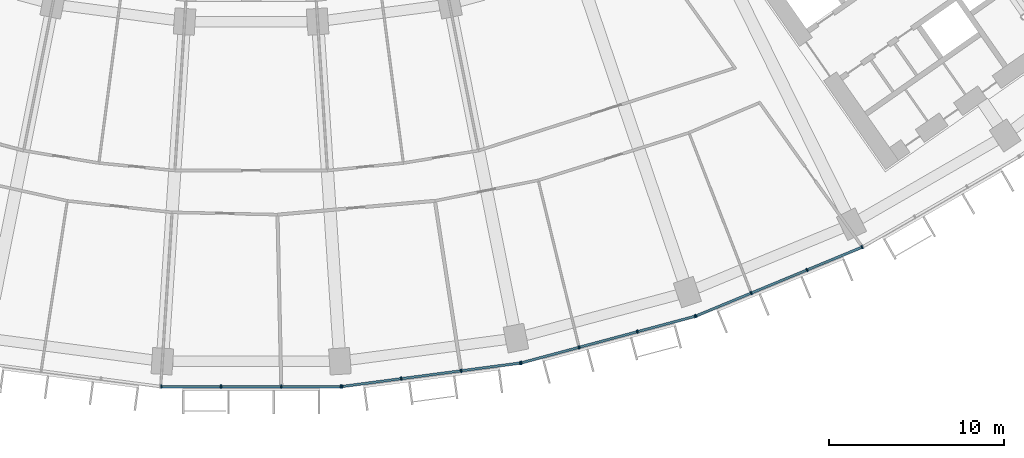
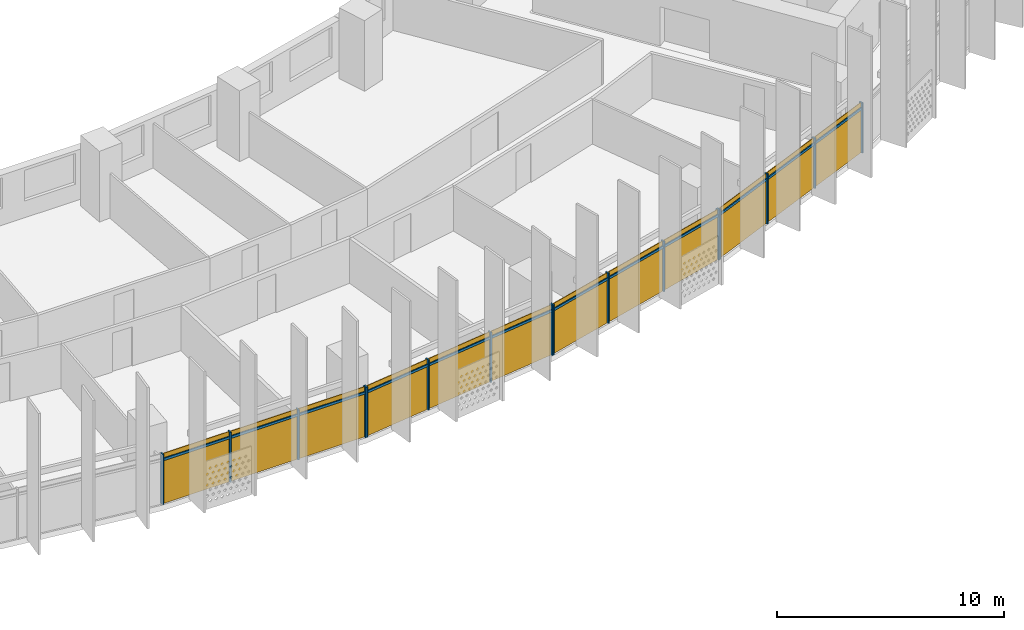
# One storey, part 21 of 30: 28 members, 4 curtain walls.
"""IFC4 building model written with IfcOpenShell, lengths in metres."""

from ifc_helpers import new_model, si_unit, direction, frame, origin, origin_2d, place, context, subcontext, project, spatial, rectangle, extrude, material, material_profile, profile_set, type_object, element, aggregate, save


model = new_model("IFC4")

# Units and contexts
model_context = context("Model", 3, precision=1e-05, world=origin(), true_north=direction((0.0, 1.0)))
body_context = subcontext(model_context, "Body", "Model", "MODEL_VIEW")
ifc_project = project(units=[si_unit("LENGTHUNIT", "METRE"), si_unit("AREAUNIT", "SQUARE_METRE"), si_unit("VOLUMEUNIT", "CUBIC_METRE"), si_unit("PLANEANGLEUNIT", "RADIAN"), si_unit("MASSUNIT", "GRAM", prefix="KILO")], contexts=[model_context])

# Member
ifc_material = material(Name="Aluminium 6063-T6 anodised", Category="aluminium")
ifc_material_profile_1 = material_profile(ifc_material, rectangle(XDim=0.199951171875, YDim=0.070068359375, at=origin_2d()))
ifc_profile_set_1 = profile_set([ifc_material_profile_1], Name="Aluminium 6063-T6 anodised")
member_type_1 = type_object("IfcMemberType", Name="Mullion 70 x 200 aluminium", PredefinedType="MULLION", material=ifc_profile_set_1)
site_placement = place(None, origin())
building_placement = place(site_placement, origin())
storey_placement = place(building_placement, frame((0.0, 0.0, 110.10009765625)))
member_1_placement = place(storey_placement, frame((-5.1513671875, -79.0302734375, 0.0), z_axis=(0.0, 0.0, 1.0), x_axis=(0.0, 1.0, 0.0)))
member_1 = element("IfcMember", 1, at=member_1_placement, type_object=member_type_1, Name="e-cw1-L24-out09/M00", PredefinedType="MULLION", context=body_context, shape_type="SweptSolid", body=[
    extrude(rectangle(XDim=0.199951171875, YDim=0.070068359375, at=origin_2d()), origin(), (0.0, 0.0, 1.0), 2.699951171875),
])

member_2_placement = place(storey_placement, frame((-1.728759765625, -79.0302734375, 0.0), z_axis=(0.0, 0.0, 1.0), x_axis=(0.0, 1.0, 0.0)))
member_2 = element("IfcMember", 2, at=member_2_placement, type_object=member_type_1, Name="e-cw1-L24-out09/M01", PredefinedType="MULLION", context=body_context, shape_type="SweptSolid", body=[
    extrude(rectangle(XDim=0.199951171875, YDim=0.070068359375, at=origin_2d()), origin(), (0.0, 0.0, 1.0), 2.699951171875),
])

member_3_placement = place(storey_placement, frame((1.728759765625, -79.0302734375, 0.0), z_axis=(0.0, 0.0, 1.0), x_axis=(0.0, 1.0, 0.0)))
member_3 = element("IfcMember", 3, at=member_3_placement, type_object=member_type_1, Name="e-cw1-L24-out09/M02", PredefinedType="MULLION", context=body_context, shape_type="SweptSolid", body=[
    extrude(rectangle(XDim=0.199951171875, YDim=0.070068359375, at=origin_2d()), origin(), (0.0, 0.0, 1.0), 2.699951171875),
])

member_4_placement = place(storey_placement, frame((5.1513671875, -79.0302734375, 0.0), z_axis=(0.0, 0.0, 1.0), x_axis=(0.0, 1.0, 0.0)))
member_4 = element("IfcMember", 4, at=member_4_placement, type_object=member_type_1, Name="e-cw1-L24-out09/M03", PredefinedType="MULLION", context=body_context, shape_type="SweptSolid", body=[
    extrude(rectangle(XDim=0.199951171875, YDim=0.070068359375, at=origin_2d()), origin(), (0.0, 0.0, 1.0), 2.699951171875),
])

member_5_placement = place(storey_placement, frame((5.2080078125, -79.026611328125, 0.0), z_axis=(0.0, 0.0, 1.0), x_axis=(-0.13052619222, 0.991444861374, 0.0)))
member_5 = element("IfcMember", 5, at=member_5_placement, type_object=member_type_1, Name="e-cw1-L24-out10/M00", PredefinedType="MULLION", context=body_context, shape_type="SweptSolid", body=[
    extrude(rectangle(XDim=0.199951171875, YDim=0.070068359375, at=origin_2d()), origin(), (0.0, 0.0, 1.0), 2.699951171875),
])

member_6_placement = place(storey_placement, frame((8.6015625, -78.579833984375, 0.0), z_axis=(0.0, 0.0, 1.0), x_axis=(-0.13052619222, 0.991444861374, 0.0)))
member_6 = element("IfcMember", 6, at=member_6_placement, type_object=member_type_1, Name="e-cw1-L24-out10/M01", PredefinedType="MULLION", context=body_context, shape_type="SweptSolid", body=[
    extrude(rectangle(XDim=0.199951171875, YDim=0.070068359375, at=origin_2d()), origin(), (0.0, 0.0, 1.0), 2.699951171875),
])

member_7_placement = place(storey_placement, frame((12.029541015625, -78.12841796875, 0.0), z_axis=(0.0, 0.0, 1.0), x_axis=(-0.13052619222, 0.991444861374, 0.0)))
member_7 = element("IfcMember", 7, at=member_7_placement, type_object=member_type_1, Name="e-cw1-L24-out10/M02", PredefinedType="MULLION", context=body_context, shape_type="SweptSolid", body=[
    extrude(rectangle(XDim=0.199951171875, YDim=0.070068359375, at=origin_2d()), origin(), (0.0, 0.0, 1.0), 2.699951171875),
])

member_8_placement = place(storey_placement, frame((15.4228515625, -77.681640625, 0.0), z_axis=(0.0, 0.0, 1.0), x_axis=(-0.13052619222, 0.991444861374, 0.0)))
member_8 = element("IfcMember", 8, at=member_8_placement, type_object=member_type_1, Name="e-cw1-L24-out10/M03", PredefinedType="MULLION", context=body_context, shape_type="SweptSolid", body=[
    extrude(rectangle(XDim=0.199951171875, YDim=0.070068359375, at=origin_2d()), origin(), (0.0, 0.0, 1.0), 2.699951171875),
])

member_9_placement = place(storey_placement, frame((15.478515625, -77.670654296875, 0.0), z_axis=(0.0, 0.0, 1.0), x_axis=(-0.258819045103, 0.965925826289, 0.0)))
member_9 = element("IfcMember", 9, at=member_9_placement, type_object=member_type_1, Name="e-cw1-L24-out11/M00", PredefinedType="MULLION", context=body_context, shape_type="SweptSolid", body=[
    extrude(rectangle(XDim=0.199951171875, YDim=0.070068359375, at=origin_2d()), origin(), (0.0, 0.0, 1.0), 2.699951171875),
])

member_10_placement = place(storey_placement, frame((18.78466796875, -76.78466796875, 0.0), z_axis=(0.0, 0.0, 1.0), x_axis=(-0.258819045103, 0.965925826289, 0.0)))
member_10 = element("IfcMember", 10, at=member_10_placement, type_object=member_type_1, Name="e-cw1-L24-out11/M01", PredefinedType="MULLION", context=body_context, shape_type="SweptSolid", body=[
    extrude(rectangle(XDim=0.199951171875, YDim=0.070068359375, at=origin_2d()), origin(), (0.0, 0.0, 1.0), 2.699951171875),
])

member_11_placement = place(storey_placement, frame((22.12451171875, -75.889892578125, 0.0), z_axis=(0.0, 0.0, 1.0), x_axis=(-0.258819045103, 0.965925826289, 0.0)))
member_11 = element("IfcMember", 11, at=member_11_placement, type_object=member_type_1, Name="e-cw1-L24-out11/M02", PredefinedType="MULLION", context=body_context, shape_type="SweptSolid", body=[
    extrude(rectangle(XDim=0.199951171875, YDim=0.070068359375, at=origin_2d()), origin(), (0.0, 0.0, 1.0), 2.699951171875),
])

member_12_placement = place(storey_placement, frame((25.430419921875, -75.00390625, 0.0), z_axis=(0.0, 0.0, 1.0), x_axis=(-0.258819045103, 0.965925826289, 0.0)))
member_12 = element("IfcMember", 12, at=member_12_placement, type_object=member_type_1, Name="e-cw1-L24-out11/M03", PredefinedType="MULLION", context=body_context, shape_type="SweptSolid", body=[
    extrude(rectangle(XDim=0.199951171875, YDim=0.070068359375, at=origin_2d()), origin(), (0.0, 0.0, 1.0), 2.699951171875),
])

member_13_placement = place(storey_placement, frame((25.484130859375, -74.98583984375, 0.0), z_axis=(0.0, 0.0, 1.0), x_axis=(-0.382683432365, 0.923879532511, 0.0)))
member_13 = element("IfcMember", 13, at=member_13_placement, type_object=member_type_1, Name="e-cw1-L24-out12/M00", PredefinedType="MULLION", context=body_context, shape_type="SweptSolid", body=[
    extrude(rectangle(XDim=0.199951171875, YDim=0.070068359375, at=origin_2d()), origin(), (0.0, 0.0, 1.0), 2.699951171875),
])

member_14_placement = place(storey_placement, frame((28.646240234375, -73.676025390625, 0.0), z_axis=(0.0, 0.0, 1.0), x_axis=(-0.382683432365, 0.923879532511, 0.0)))
member_14 = element("IfcMember", 14, at=member_14_placement, type_object=member_type_1, Name="e-cw1-L24-out12/M01", PredefinedType="MULLION", context=body_context, shape_type="SweptSolid", body=[
    extrude(rectangle(XDim=0.199951171875, YDim=0.070068359375, at=origin_2d()), origin(), (0.0, 0.0, 1.0), 2.699951171875),
])

member_15_placement = place(storey_placement, frame((31.8408203125, -72.352783203125, 0.0), z_axis=(0.0, 0.0, 1.0), x_axis=(-0.382683432365, 0.923879532511, 0.0)))
member_15 = element("IfcMember", 15, at=member_15_placement, type_object=member_type_1, Name="e-cw1-L24-out12/M02", PredefinedType="MULLION", context=body_context, shape_type="SweptSolid", body=[
    extrude(rectangle(XDim=0.199951171875, YDim=0.070068359375, at=origin_2d()), origin(), (0.0, 0.0, 1.0), 2.699951171875),
])

member_16_placement = place(storey_placement, frame((35.0029296875, -71.04296875, 0.0), z_axis=(0.0, 0.0, 1.0), x_axis=(-0.382683432365, 0.923879532511, 0.0)))
member_16 = element("IfcMember", 16, at=member_16_placement, type_object=member_type_1, Name="e-cw1-L24-out12/M03", PredefinedType="MULLION", context=body_context, shape_type="SweptSolid", body=[
    extrude(rectangle(XDim=0.199951171875, YDim=0.070068359375, at=origin_2d()), origin(), (0.0, 0.0, 1.0), 2.699951171875),
])

ifc_material_profile_2 = material_profile(ifc_material, rectangle(XDim=0.139892578125, YDim=0.1201171875, at=origin_2d()))
ifc_profile_set_2 = profile_set([ifc_material_profile_2], Name="Aluminium 6063-T6 anodised")
member_type_2 = type_object("IfcMemberType", Name="Transom 120 x 140 aluminium", PredefinedType="USERDEFINED", material=ifc_profile_set_2)
member_17_placement = place(storey_placement, frame((-5.116455078125, -79.0302734375, 2.39990234375), z_axis=(1.0, 0.0, 0.0), x_axis=(0.0, 1.0, 0.0)))
member_17 = element("IfcMember", 17, at=member_17_placement, type_object=member_type_2, Name="e-cw1-L24-out09/T00", ObjectType="TRANSOM", PredefinedType="USERDEFINED", context=body_context, shape_type="SweptSolid", body=[
    extrude(rectangle(XDim=0.139892578125, YDim=0.1201171875, at=origin_2d()), origin(), (0.0, 0.0, 1.0), 3.3525390625),
])

member_18_placement = place(storey_placement, frame((-1.69384765625, -79.0302734375, 2.39990234375), z_axis=(1.0, 0.0, 0.0), x_axis=(0.0, 1.0, 0.0)))
member_18 = element("IfcMember", 18, at=member_18_placement, type_object=member_type_2, Name="e-cw1-L24-out09/T01", ObjectType="TRANSOM", PredefinedType="USERDEFINED", context=body_context, shape_type="SweptSolid", body=[
    extrude(rectangle(XDim=0.139892578125, YDim=0.1201171875, at=origin_2d()), origin(), (0.0, 0.0, 1.0), 3.3876953125),
])

member_19_placement = place(storey_placement, frame((1.763916015625, -79.0302734375, 2.39990234375), z_axis=(1.0, 0.0, 0.0), x_axis=(0.0, 1.0, 0.0)))
member_19 = element("IfcMember", 19, at=member_19_placement, type_object=member_type_2, Name="e-cw1-L24-out09/T02", ObjectType="TRANSOM", PredefinedType="USERDEFINED", context=body_context, shape_type="SweptSolid", body=[
    extrude(rectangle(XDim=0.139892578125, YDim=0.1201171875, at=origin_2d()), origin(), (0.0, 0.0, 1.0), 3.3525390625),
])

member_20_placement = place(storey_placement, frame((5.242919921875, -79.02197265625, 2.39990234375), z_axis=(0.991439665896, 0.130565649721, 0.0), x_axis=(-0.130565649721, 0.991439665896, 0.0)))
member_20 = element("IfcMember", 20, at=member_20_placement, type_object=member_type_2, Name="e-cw1-L24-out10/T00", ObjectType="TRANSOM", PredefinedType="USERDEFINED", context=body_context, shape_type="SweptSolid", body=[
    extrude(rectangle(XDim=0.139892578125, YDim=0.1201171875, at=origin_2d()), origin(), (0.0, 0.0, 1.0), 3.352783203125),
])

member_21_placement = place(storey_placement, frame((8.63623046875, -78.5751953125, 2.39990234375), z_axis=(0.991446198807, 0.130516033004, 0.0), x_axis=(-0.130516033004, 0.991446198807, 0.0)))
member_21 = element("IfcMember", 21, at=member_21_placement, type_object=member_type_2, Name="e-cw1-L24-out10/T01", ObjectType="TRANSOM", PredefinedType="USERDEFINED", context=body_context, shape_type="SweptSolid", body=[
    extrude(rectangle(XDim=0.139892578125, YDim=0.1201171875, at=origin_2d()), origin(), (0.0, 0.0, 1.0), 3.3876953125),
])

member_22_placement = place(storey_placement, frame((12.064208984375, -78.123779296875, 2.39990234375), z_axis=(0.991449089759, 0.130494070426, 0.0), x_axis=(-0.130494070426, 0.991449089759, 0.0)))
member_22 = element("IfcMember", 22, at=member_22_placement, type_object=member_type_2, Name="e-cw1-L24-out10/T02", ObjectType="TRANSOM", PredefinedType="USERDEFINED", context=body_context, shape_type="SweptSolid", body=[
    extrude(rectangle(XDim=0.139892578125, YDim=0.1201171875, at=origin_2d()), origin(), (0.0, 0.0, 1.0), 3.3525390625),
])

member_23_placement = place(storey_placement, frame((15.512451171875, -77.66162109375, 2.39990234375), z_axis=(0.965927247937, 0.258813739382, 0.0), x_axis=(-0.258813739382, 0.965927247937, 0.0)))
member_23 = element("IfcMember", 23, at=member_23_placement, type_object=member_type_2, Name="e-cw1-L24-out11/T00", ObjectType="TRANSOM", PredefinedType="USERDEFINED", context=body_context, shape_type="SweptSolid", body=[
    extrude(rectangle(XDim=0.139892578125, YDim=0.1201171875, at=origin_2d()), origin(), (0.0, 0.0, 1.0), 3.3525390625),
])

member_24_placement = place(storey_placement, frame((18.818359375, -76.775634765625, 2.39990234375), z_axis=(0.965931646033, 0.258797324547, 0.0), x_axis=(-0.258797324547, 0.965931646033, 0.0)))
member_24 = element("IfcMember", 24, at=member_24_placement, type_object=member_type_2, Name="e-cw1-L24-out11/T01", ObjectType="TRANSOM", PredefinedType="USERDEFINED", context=body_context, shape_type="SweptSolid", body=[
    extrude(rectangle(XDim=0.139892578125, YDim=0.1201171875, at=origin_2d()), origin(), (0.0, 0.0, 1.0), 3.3876953125),
])

member_25_placement = place(storey_placement, frame((22.158203125, -75.880859375, 2.39990234375), z_axis=(0.965932125453, 0.258795535157, 0.0), x_axis=(-0.258795535157, 0.965932125453, 0.0)))
member_25 = element("IfcMember", 25, at=member_25_placement, type_object=member_type_2, Name="e-cw1-L24-out11/T02", ObjectType="TRANSOM", PredefinedType="USERDEFINED", context=body_context, shape_type="SweptSolid", body=[
    extrude(rectangle(XDim=0.139892578125, YDim=0.1201171875, at=origin_2d()), origin(), (0.0, 0.0, 1.0), 3.352783203125),
])

member_26_placement = place(storey_placement, frame((25.5166015625, -74.972412109375, 2.39990234375), z_axis=(0.923882814237, 0.382675509483, 0.0), x_axis=(-0.382675509483, 0.923882814237, 0.0)))
member_26 = element("IfcMember", 26, at=member_26_placement, type_object=member_type_2, Name="e-cw1-L24-out12/T00", ObjectType="TRANSOM", PredefinedType="USERDEFINED", context=body_context, shape_type="SweptSolid", body=[
    extrude(rectangle(XDim=0.139892578125, YDim=0.1201171875, at=origin_2d()), origin(), (0.0, 0.0, 1.0), 3.3525390625),
])

member_27_placement = place(storey_placement, frame((28.6787109375, -73.66259765625, 2.39990234375), z_axis=(0.923874529423, 0.382695510666, 0.0), x_axis=(-0.382695510666, 0.923874529423, 0.0)))
member_27 = element("IfcMember", 27, at=member_27_placement, type_object=member_type_2, Name="e-cw1-L24-out12/T01", ObjectType="TRANSOM", PredefinedType="USERDEFINED", context=body_context, shape_type="SweptSolid", body=[
    extrude(rectangle(XDim=0.139892578125, YDim=0.1201171875, at=origin_2d()), origin(), (0.0, 0.0, 1.0), 3.387451171875),
])

member_28_placement = place(storey_placement, frame((31.873046875, -72.33935546875, 2.39990234375), z_axis=(0.923882814237, 0.382675509483, 0.0), x_axis=(-0.382675509483, 0.923882814237, 0.0)))
member_28 = element("IfcMember", 28, at=member_28_placement, type_object=member_type_2, Name="e-cw1-L24-out12/T02", ObjectType="TRANSOM", PredefinedType="USERDEFINED", context=body_context, shape_type="SweptSolid", body=[
    extrude(rectangle(XDim=0.139892578125, YDim=0.1201171875, at=origin_2d()), origin(), (0.0, 0.0, 1.0), 3.3525390625),
])

# Site, building, storey
site = spatial("IfcSite", under=ifc_project, at=site_placement, CompositionType="ELEMENT")
building = spatial("IfcBuilding", under=site, at=building_placement, Name="Qamariyya Broadcast Tower", CompositionType="ELEMENT")
storey = spatial("IfcBuildingStorey", under=building, at=storey_placement, Name="L24", CompositionType="ELEMENT", Elevation=110.10009765625)

# Curtain wall
curtain_wall_type = type_object("IfcCurtainWallType", Name="Unitised curtain wall, anodised aluminium", PredefinedType="NOTDEFINED", material=ifc_material)
curtain_wall_1_placement = place(storey_placement, origin())
curtain_wall_1 = element("IfcCurtainWall", 29, at=curtain_wall_1_placement, inside=storey, type_object=curtain_wall_type, Name="e-cw1-L24-out09", PredefinedType="NOTDEFINED", context=body_context, shape_type="SweptSolid", body=[
    extrude(rectangle(XDim=3.352783203125, YDim=0.031982421875, at=origin_2d()), frame((-3.440185546875, -79.0302734375, 0.0), x_axis=(1.0, 0.0, 0.0)), (0.0, 0.0, 1.0), 2.340087890625),
    extrude(rectangle(XDim=3.352783203125, YDim=0.031982421875, at=origin_2d()), frame((-3.440185546875, -79.0302734375, 2.4599609375), x_axis=(1.0, 0.0, 0.0)), (0.0, 0.0, 1.0), 0.239990234375),
    extrude(rectangle(XDim=3.3876953125, YDim=0.031982421875, at=origin_2d()), frame((0.0, -79.0302734375, 0.0), x_axis=(1.0, 0.0, 0.0)), (0.0, 0.0, 1.0), 2.340087890625),
    extrude(rectangle(XDim=3.3876953125, YDim=0.031982421875, at=origin_2d()), frame((0.0, -79.0302734375, 2.4599609375), x_axis=(1.0, 0.0, 0.0)), (0.0, 0.0, 1.0), 0.239990234375),
    extrude(rectangle(XDim=3.352783203125, YDim=0.031982421875, at=origin_2d()), frame((3.440185546875, -79.0302734375, 0.0), x_axis=(1.0, 0.0, 0.0)), (0.0, 0.0, 1.0), 2.340087890625),
    extrude(rectangle(XDim=3.352783203125, YDim=0.031982421875, at=origin_2d()), frame((3.440185546875, -79.0302734375, 2.4599609375), x_axis=(1.0, 0.0, 0.0)), (0.0, 0.0, 1.0), 0.239990234375),
])

aggregate(curtain_wall_1, [member_1, member_2, member_3, member_4, member_17, member_18, member_19])

curtain_wall_2_placement = place(storey_placement, origin())
curtain_wall_2 = element("IfcCurtainWall", 30, at=curtain_wall_2_placement, inside=storey, type_object=curtain_wall_type, Name="e-cw1-L24-out10", PredefinedType="NOTDEFINED", context=body_context, shape_type="SweptSolid", body=[
    extrude(rectangle(XDim=3.3525390625, YDim=0.031982421875, at=origin_2d()), frame((6.90478515625, -78.802978515625, 0.0), x_axis=(0.991447084105, 0.13050930779, 0.0)), (0.0, 0.0, 1.0), 2.340087890625),
    extrude(rectangle(XDim=3.3525390625, YDim=0.031982421875, at=origin_2d()), frame((6.90478515625, -78.802978515625, 2.4599609375), x_axis=(0.991447084105, 0.13050930779, 0.0)), (0.0, 0.0, 1.0), 0.239990234375),
    extrude(rectangle(XDim=3.3876953125, YDim=0.031982421875, at=origin_2d()), frame((10.3154296875, -78.35400390625, 0.0), x_axis=(0.991447084105, 0.13050930779, 0.0)), (0.0, 0.0, 1.0), 2.340087890625),
    extrude(rectangle(XDim=3.3876953125, YDim=0.031982421875, at=origin_2d()), frame((10.3154296875, -78.35400390625, 2.4599609375), x_axis=(0.991447084105, 0.13050930779, 0.0)), (0.0, 0.0, 1.0), 0.239990234375),
    extrude(rectangle(XDim=3.3525390625, YDim=0.031982421875, at=origin_2d()), frame((13.72607421875, -77.9052734375, 0.0), x_axis=(0.991447084105, 0.13050930779, 0.0)), (0.0, 0.0, 1.0), 2.340087890625),
    extrude(rectangle(XDim=3.3525390625, YDim=0.031982421875, at=origin_2d()), frame((13.72607421875, -77.9052734375, 2.4599609375), x_axis=(0.991447084105, 0.13050930779, 0.0)), (0.0, 0.0, 1.0), 0.239990234375),
])

aggregate(curtain_wall_2, [member_5, member_6, member_7, member_8, member_20, member_21, member_22])

curtain_wall_3_placement = place(storey_placement, origin())
curtain_wall_3 = element("IfcCurtainWall", 31, at=curtain_wall_3_placement, inside=storey, type_object=curtain_wall_type, Name="e-cw1-L24-out11", PredefinedType="NOTDEFINED", context=body_context, shape_type="SweptSolid", body=[
    extrude(rectangle(XDim=3.352783203125, YDim=0.031982421875, at=origin_2d()), frame((17.131591796875, -77.227783203125, 0.0), x_axis=(0.965923677743, 0.258827063454, 0.0)), (0.0, 0.0, 1.0), 2.340087890625),
    extrude(rectangle(XDim=3.352783203125, YDim=0.031982421875, at=origin_2d()), frame((17.131591796875, -77.227783203125, 2.4599609375), x_axis=(0.965923677743, 0.258827063454, 0.0)), (0.0, 0.0, 1.0), 0.239990234375),
    extrude(rectangle(XDim=3.3876953125, YDim=0.031982421875, at=origin_2d()), frame((20.45458984375, -76.33740234375, 0.0), x_axis=(0.965923677743, 0.258827063454, 0.0)), (0.0, 0.0, 1.0), 2.340087890625),
    extrude(rectangle(XDim=3.3876953125, YDim=0.031982421875, at=origin_2d()), frame((20.45458984375, -76.33740234375, 2.4599609375), x_axis=(0.965923677743, 0.258827063454, 0.0)), (0.0, 0.0, 1.0), 0.239990234375),
    extrude(rectangle(XDim=3.352783203125, YDim=0.031982421875, at=origin_2d()), frame((23.777587890625, -75.44677734375, 0.0), x_axis=(0.965923677743, 0.258827063454, 0.0)), (0.0, 0.0, 1.0), 2.340087890625),
    extrude(rectangle(XDim=3.352783203125, YDim=0.031982421875, at=origin_2d()), frame((23.777587890625, -75.44677734375, 2.4599609375), x_axis=(0.965923677743, 0.258827063454, 0.0)), (0.0, 0.0, 1.0), 0.239990234375),
])

aggregate(curtain_wall_3, [member_9, member_10, member_11, member_12, member_23, member_24, member_25])

curtain_wall_4_placement = place(storey_placement, origin())
curtain_wall_4 = element("IfcCurtainWall", 32, at=curtain_wall_4_placement, inside=storey, type_object=curtain_wall_type, Name="e-cw1-L24-out12", PredefinedType="NOTDEFINED", context=body_context, shape_type="SweptSolid", body=[
    extrude(rectangle(XDim=3.3525390625, YDim=0.031982421875, at=origin_2d()), frame((27.065185546875, -74.3310546875, 0.0), x_axis=(0.923872250857, 0.382701011361, 0.0)), (0.0, 0.0, 1.0), 2.340087890625),
    extrude(rectangle(XDim=3.3525390625, YDim=0.031982421875, at=origin_2d()), frame((27.065185546875, -74.3310546875, 2.4599609375), x_axis=(0.923872250857, 0.382701011361, 0.0)), (0.0, 0.0, 1.0), 0.239990234375),
    extrude(rectangle(XDim=3.3876953125, YDim=0.031982421875, at=origin_2d()), frame((30.24365234375, -73.014404296875, 0.0), x_axis=(0.923872250857, 0.382701011361, 0.0)), (0.0, 0.0, 1.0), 2.340087890625),
    extrude(rectangle(XDim=3.3876953125, YDim=0.031982421875, at=origin_2d()), frame((30.24365234375, -73.014404296875, 2.4599609375), x_axis=(0.923872250857, 0.382701011361, 0.0)), (0.0, 0.0, 1.0), 0.239990234375),
    extrude(rectangle(XDim=3.3525390625, YDim=0.031982421875, at=origin_2d()), frame((33.421875, -71.69775390625, 0.0), x_axis=(0.923872250857, 0.382701011361, 0.0)), (0.0, 0.0, 1.0), 2.340087890625),
    extrude(rectangle(XDim=3.3525390625, YDim=0.031982421875, at=origin_2d()), frame((33.421875, -71.69775390625, 2.4599609375), x_axis=(0.923872250857, 0.382701011361, 0.0)), (0.0, 0.0, 1.0), 0.239990234375),
])

aggregate(curtain_wall_4, [member_13, member_14, member_15, member_16, member_26, member_27, member_28])

save(model, "model.ifc")
